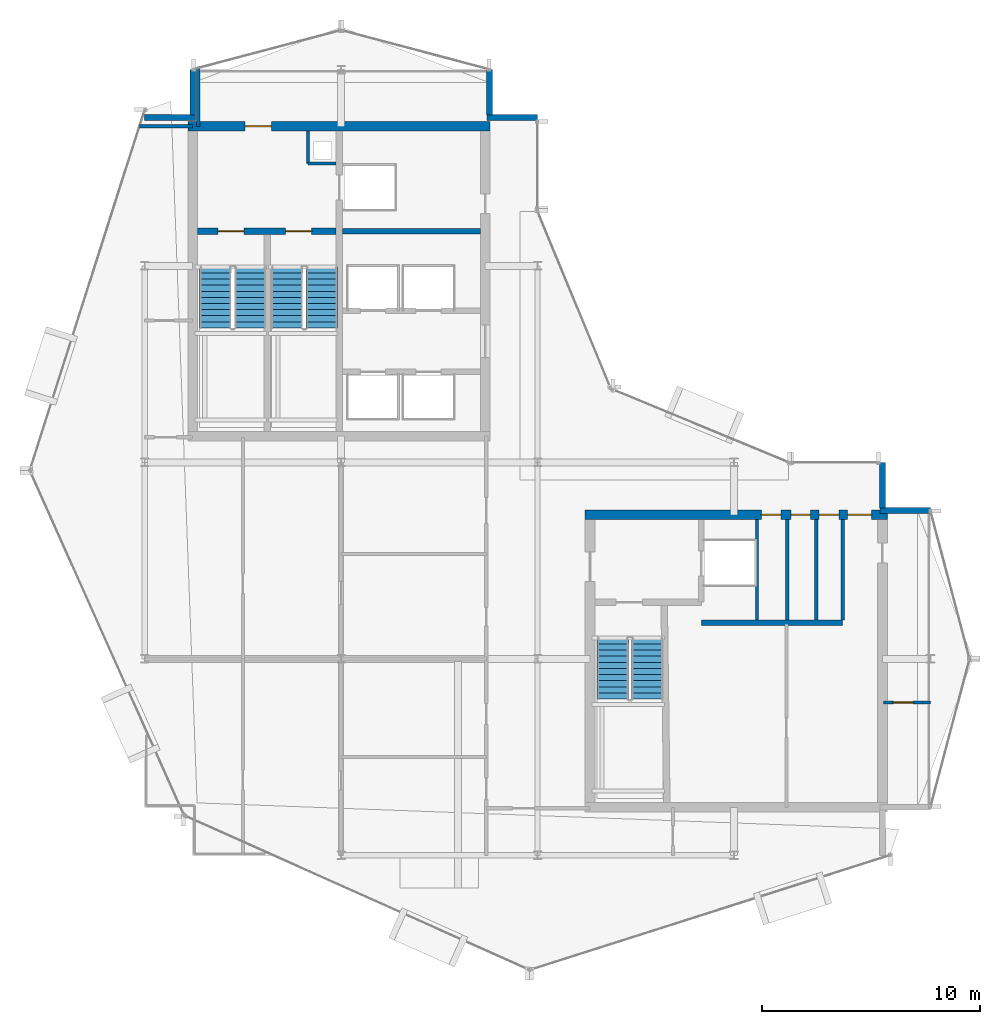
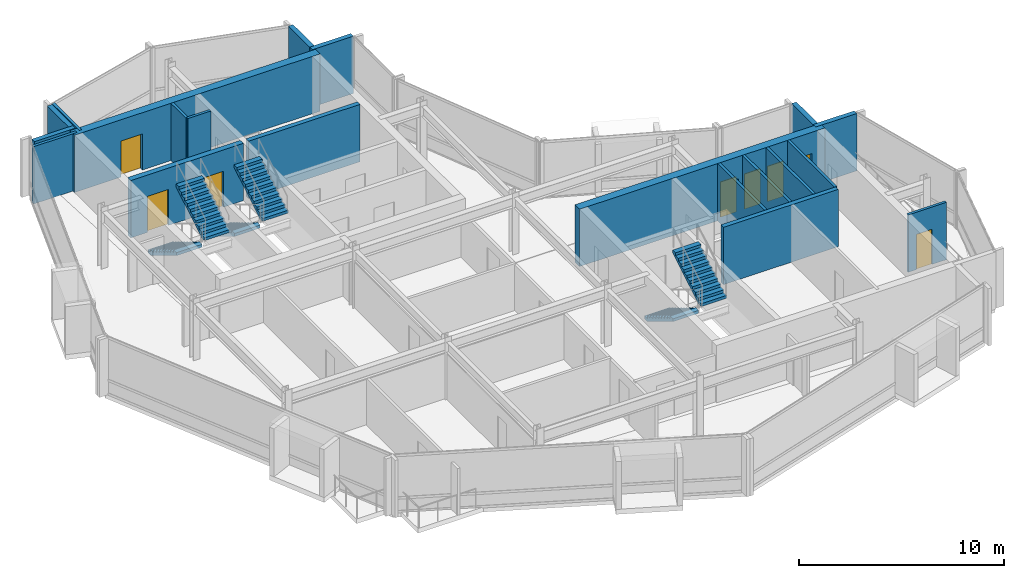
# One storey, part 15 of 19: 20 walls, 8 doors, 6 stair flights, 8 openings, 3 elements without a shape of their own.
"""IFC4 building model written with IfcOpenShell, lengths in metres."""

from ifc_helpers import new_model, si_unit, direction, frame, frame_2d, origin, place, context, subcontext, project, spatial, polyline, rectangle, outline, extrude, material, layer, layer_set, type_object, element, fill, aggregate, save


model = new_model("IFC4")

# Units and contexts
model_context = context("Model", 3, precision=1e-05, world=origin(), true_north=direction((0.0, 1.0)))
body_context = subcontext(model_context, "Body", "Model", "MODEL_VIEW")
ifc_project = project(units=[si_unit("LENGTHUNIT", "METRE"), si_unit("AREAUNIT", "SQUARE_METRE"), si_unit("VOLUMEUNIT", "CUBIC_METRE"), si_unit("PLANEANGLEUNIT", "RADIAN"), si_unit("MASSUNIT", "GRAM", prefix="KILO")], contexts=[model_context])

# Site, building, storey
site_placement = place(None, origin())
site = spatial("IfcSite", under=ifc_project, at=site_placement, CompositionType="ELEMENT")
building_placement = place(site_placement, origin())
building = spatial("IfcBuilding", under=site, at=building_placement, Name="Solvaryn Broadcast Tower", CompositionType="ELEMENT")
storey_placement = place(building_placement, frame((0.0, 0.0, 290.0)))
storey = spatial("IfcBuildingStorey", under=building, at=storey_placement, Name="L73", CompositionType="ELEMENT", Elevation=290.0)

# Wall, opening, door
ifc_material_1 = material(Name="Concrete f'c 70 MPa", Category="concrete")
ifc_layer_1 = layer(ifc_material_1, 0.449951171875)
ifc_layer_set_1 = layer_set([ifc_layer_1], Name="CW-SHEAR-450")
wall_type_1 = type_object("IfcWallType", Name="CW-SHEAR-450", PredefinedType="SHEAR", material=ifc_layer_set_1)
wall_1_placement = place(storey_placement, frame((24.824951171875, 42.39990234375, 0.0), z_axis=(0.0, 0.0, 1.0), x_axis=(-1.0, 0.0, 0.0)))
wall_1 = element("IfcWall", 1, at=wall_1_placement, inside=storey, type_object=wall_type_1, Name="L73 West Core North Shear Wall", PredefinedType="SHEAR", context=body_context, shape_type="SweptSolid", body=[
    extrude(rectangle(XDim=13.849853515625, YDim=0.449951171875, at=frame_2d((6.9248046875, 0.0))), origin(), (0.0, 0.0, 1.0), 3.419921875),
])
opening_1_placement = place(wall_1_placement, frame((10.02490234375, 0.0, 0.0)))
opening_1 = element("IfcOpeningElement", 2, at=opening_1_placement, cuts=wall_1, Name="Opening FD90A", PredefinedType="OPENING", context=body_context, shape_type="SweptSolid", body=[
    extrude(rectangle(XDim=1.199951171875, YDim=2.14990234375, at=frame_2d((0.60009765625, 1.074951171875))), frame((0.0, 0.235107421875, 0.0), z_axis=(0.0, -1.0, 0.0), x_axis=(1.0, 0.0, 0.0)), (0.0, 0.0, 1.0), 0.469970703125),
])
ifc_material_2 = material(Name="Flush Acoustic Steel and Timber Door Assembly", Category="steel")
door_type_1 = type_object("IfcDoorType", Name="FD90-STAIR-1200X2150", OperationType="NOTDEFINED", PredefinedType="DOOR", material=ifc_material_2)
door_1_placement = place(opening_1_placement, origin())
door_1 = element("IfcDoor", 3, at=door_1_placement, inside=storey, type_object=door_type_1, Name="L73 West FSAE Lobby Corridor Door", OperationType="SINGLE_SWING_LEFT", OverallHeight=2.14990234375, OverallWidth=1.199951171875, PredefinedType="DOOR", context=body_context, shape_type="SweptSolid", body=[
    extrude(rectangle(XDim=1.199951171875, YDim=2.14990234375, at=frame_2d((0.60009765625, 1.074951171875))), frame((0.0, 0.02490234375, 0.0), z_axis=(0.0, -1.0, 0.0), x_axis=(1.0, 0.0, 0.0)), (0.0, 0.0, 1.0), 0.050048828125),
])
fill(opening_1, door_1)

# Wall, openings, doors
wall_2_placement = place(storey_placement, frame((43.02490234375, 24.60009765625, 0.0), z_axis=(0.0, 0.0, 1.0), x_axis=(-1.0, 0.0, 0.0)))
wall_2 = element("IfcWall", 4, at=wall_2_placement, inside=storey, type_object=wall_type_1, Name="L73 East Core North Shear Wall", PredefinedType="SHEAR", context=body_context, shape_type="SweptSolid", body=[
    extrude(rectangle(XDim=13.849853515625, YDim=0.449951171875, at=frame_2d((6.9248046875, 0.0))), origin(), (0.0, 0.0, 1.0), 3.419921875),
])
opening_2_placement = place(wall_2_placement, frame((0.72509765625, 0.0, 0.0)))
opening_2 = element("IfcOpeningElement", 5, at=opening_2_placement, cuts=wall_2, Name="Opening FD90C", PredefinedType="OPENING", context=body_context, shape_type="SweptSolid", body=[
    extrude(rectangle(XDim=1.10009765625, YDim=2.14990234375, at=frame_2d((0.550048828125, 1.074951171875))), frame((0.0, 0.235107421875, 0.0), z_axis=(0.0, -1.0, 0.0), x_axis=(1.0, 0.0, 0.0)), (0.0, 0.0, 1.0), 0.469970703125),
])
opening_3_placement = place(wall_2_placement, frame((2.22509765625, 0.0, 0.0)))
opening_3 = element("IfcOpeningElement", 6, at=opening_3_placement, cuts=wall_2, Name="Opening FD60C", PredefinedType="OPENING", context=body_context, shape_type="SweptSolid", body=[
    extrude(rectangle(XDim=0.89990234375, YDim=2.10009765625, at=frame_2d((0.449951171875, 1.050048828125))), frame((0.0, 0.235107421875, 0.0), z_axis=(0.0, -1.0, 0.0), x_axis=(1.0, 0.0, 0.0)), (0.0, 0.0, 1.0), 0.469970703125),
])
opening_4_placement = place(wall_2_placement, frame((3.52490234375, 0.0, 0.0)))
opening_4 = element("IfcOpeningElement", 7, at=opening_4_placement, cuts=wall_2, Name="Opening FD60C", PredefinedType="OPENING", context=body_context, shape_type="SweptSolid", body=[
    extrude(rectangle(XDim=0.89990234375, YDim=2.10009765625, at=frame_2d((0.449951171875, 1.050048828125))), frame((0.0, 0.235107421875, 0.0), z_axis=(0.0, -1.0, 0.0), x_axis=(1.0, 0.0, 0.0)), (0.0, 0.0, 1.0), 0.469970703125),
])
opening_5_placement = place(wall_2_placement, frame((4.875, 0.0, 0.0)))
opening_5 = element("IfcOpeningElement", 8, at=opening_5_placement, cuts=wall_2, Name="Opening FD60C", PredefinedType="OPENING", context=body_context, shape_type="SweptSolid", body=[
    extrude(rectangle(XDim=0.89990234375, YDim=2.10009765625, at=frame_2d((0.449951171875, 1.050048828125))), frame((0.0, 0.235107421875, 0.0), z_axis=(0.0, -1.0, 0.0), x_axis=(1.0, 0.0, 0.0)), (0.0, 0.0, 1.0), 0.469970703125),
])
ifc_material_3 = material(Name="Flush Acoustic Steel and Timber Door Assembly", Category="steel")
door_type_2 = type_object("IfcDoorType", Name="FD60-SERV-900X2100", OperationType="NOTDEFINED", PredefinedType="DOOR", material=ifc_material_3)
door_2_placement = place(opening_3_placement, origin())
door_2 = element("IfcDoor", 9, at=door_2_placement, inside=storey, type_object=door_type_2, Name="L73 Core Wellness Room Door", OperationType="SINGLE_SWING_RIGHT", OverallHeight=2.10009765625, OverallWidth=0.89990234375, PredefinedType="DOOR", context=body_context, shape_type="SweptSolid", body=[
    extrude(rectangle(XDim=0.89990234375, YDim=2.10009765625, at=frame_2d((0.449951171875, 1.050048828125))), frame((0.0, 0.02490234375, 0.0), z_axis=(0.0, -1.0, 0.0), x_axis=(1.0, 0.0, 0.0)), (0.0, 0.0, 1.0), 0.050048828125),
])
fill(opening_3, door_2)
door_3_placement = place(opening_4_placement, origin())
door_3 = element("IfcDoor", 10, at=door_3_placement, inside=storey, type_object=door_type_2, Name="L73 Staff Restroom Door", OperationType="SINGLE_SWING_LEFT", OverallHeight=2.10009765625, OverallWidth=0.89990234375, PredefinedType="DOOR", context=body_context, shape_type="SweptSolid", body=[
    extrude(rectangle(XDim=0.89990234375, YDim=2.10009765625, at=frame_2d((0.449951171875, 1.050048828125))), frame((0.0, 0.02490234375, 0.0), z_axis=(0.0, -1.0, 0.0), x_axis=(1.0, 0.0, 0.0)), (0.0, 0.0, 1.0), 0.050048828125),
])
fill(opening_4, door_3)
door_4_placement = place(opening_5_placement, origin())
door_4 = element("IfcDoor", 11, at=door_4_placement, inside=storey, type_object=door_type_2, Name="L73 Accessible WC Door", OperationType="SINGLE_SWING_RIGHT", OverallHeight=2.10009765625, OverallWidth=0.89990234375, PredefinedType="DOOR", context=body_context, shape_type="SweptSolid", body=[
    extrude(rectangle(XDim=0.89990234375, YDim=2.10009765625, at=frame_2d((0.449951171875, 1.050048828125))), frame((0.0, 0.02490234375, 0.0), z_axis=(0.0, -1.0, 0.0), x_axis=(1.0, 0.0, 0.0)), (0.0, 0.0, 1.0), 0.050048828125),
])
fill(opening_5, door_4)
ifc_material_4 = material(Name="Flush Acoustic Steel and Timber Door Assembly", Category="steel")
door_type_3 = type_object("IfcDoorType", Name="FD90-PLANT-1100X2150", OperationType="NOTDEFINED", PredefinedType="DOOR", material=ifc_material_4)
door_5_placement = place(opening_2_placement, origin())
door_5 = element("IfcDoor", 12, at=door_5_placement, inside=storey, type_object=door_type_3, Name="L73 East Core Lobby Corridor Door", OperationType="SINGLE_SWING_LEFT", OverallHeight=2.14990234375, OverallWidth=1.10009765625, PredefinedType="DOOR", context=body_context, shape_type="SweptSolid", body=[
    extrude(rectangle(XDim=1.10009765625, YDim=2.14990234375, at=frame_2d((0.550048828125, 1.074951171875))), frame((0.0, 0.02490234375, 0.0), z_axis=(0.0, -1.0, 0.0), x_axis=(1.0, 0.0, 0.0)), (0.0, 0.0, 1.0), 0.050048828125),
])
fill(opening_2, door_5)

# Walls
ifc_material_5 = material(Name="Concrete f'c 50 MPa", Category="concrete")
ifc_layer_2 = layer(ifc_material_5, 0.260009765625)
ifc_layer_set_2 = layer_set([ifc_layer_2], Name="EW-PIER-260")
wall_type_2 = type_object("IfcWallType", Name="EW-PIER-260", PredefinedType="SOLIDWALL", material=ifc_layer_set_2)
wall_3_placement = place(storey_placement, frame((9.0, 42.800048828125, 0.0), z_axis=(0.0, 0.0, 1.0), x_axis=(1.0, 0.0, 0.0)))
element("IfcWall", 13, at=wall_3_placement, inside=storey, type_object=wall_type_2, Name="L73 Notched Corner Pier Wall NNW1", PredefinedType="SOLIDWALL", context=body_context, shape_type="SweptSolid", body=[
    extrude(rectangle(XDim=2.320068359375, YDim=0.260009765625, at=frame_2d((1.16015625, 0.0))), origin(), (0.0, 0.0, 1.0), 3.419921875),
])
for number, where, z_axis, x_axis, name in (
    (14, (11.199951171875, 42.919921875, 0.0), (0.0, 0.0, 1.0), (0.0, 1.0, 0.0), "L73 Notched Corner Pier Wall NNW2"),
    (15, (24.800048828125, 45.0, 0.0), (0.0, 0.0, 1.0), (0.0, -1.0, 0.0), "L73 Notched Corner Pier Wall NNE1"),
):
    element("IfcWall", number, at=place(storey_placement, frame(where, z_axis=z_axis, x_axis=x_axis)), inside=storey, type_object=wall_type_2, Name=name, PredefinedType="SOLIDWALL", context=body_context, shape_type="SweptSolid", body=[
        extrude(rectangle(XDim=2.080078125, YDim=0.260009765625, at=frame_2d((1.0400390625, 0.0))), origin(), (0.0, 0.0, 1.0), 3.419921875),
    ])
for number, where, z_axis, x_axis, name in (
    (16, (24.679931640625, 42.800048828125, 0.0), (0.0, 0.0, 1.0), (1.0, 0.0, 0.0), "L73 Notched Corner Pier Wall NNE2"),
    (17, (45.0, 24.800048828125, 0.0), (0.0, 0.0, 1.0), (-1.0, 0.0, 0.0), "L73 Notched Corner Pier Wall NEE1"),
):
    element("IfcWall", number, at=place(storey_placement, frame(where, z_axis=z_axis, x_axis=x_axis)), inside=storey, type_object=wall_type_2, Name=name, PredefinedType="SOLIDWALL", context=body_context, shape_type="SweptSolid", body=[
        extrude(rectangle(XDim=2.320068359375, YDim=0.260009765625, at=frame_2d((1.16015625, 0.0))), origin(), (0.0, 0.0, 1.0), 3.419921875),
    ])
wall_4_placement = place(storey_placement, frame((42.800048828125, 24.919921875, 0.0), z_axis=(0.0, 0.0, 1.0), x_axis=(0.0, 1.0, 0.0)))
element("IfcWall", 18, at=wall_4_placement, inside=storey, type_object=wall_type_2, Name="L73 Notched Corner Pier Wall NEE2", PredefinedType="SOLIDWALL", context=body_context, shape_type="SweptSolid", body=[
    extrude(rectangle(XDim=2.080078125, YDim=0.260009765625, at=frame_2d((1.0400390625, 0.0))), origin(), (0.0, 0.0, 1.0), 3.419921875),
])
ifc_material_6 = material(Name="Metal-Stud Service Core Partition")
ifc_layer_3 = layer(ifc_material_6, 0.14990234375)
ifc_layer_set_3 = layer_set([ifc_layer_3], Name="IW-PART-150")
wall_type_3 = type_object("IfcWallType", Name="IW-PART-150", PredefinedType="PARTITIONING", material=ifc_layer_set_3)
wall_5_placement = place(storey_placement, frame((16.47998046875, 40.699951171875, 0.0), z_axis=(0.0, 0.0, 1.0), x_axis=(1.0, 0.0, 0.0)))
element("IfcWall", 19, at=wall_5_placement, inside=storey, type_object=wall_type_3, Name="L73 West Core Riser Shaft South Wall", PredefinedType="PARTITIONING", context=body_context, shape_type="SweptSolid", body=[
    extrude(rectangle(XDim=1.2900390625, YDim=0.14990234375, at=frame_2d((0.64501953125, 0.0))), origin(), (0.0, 0.0, 1.0), 3.419921875),
])
wall_6_placement = place(storey_placement, frame((16.47998046875, 40.699951171875, 0.0), z_axis=(0.0, 0.0, 1.0), x_axis=(0.0, 1.0, 0.0)))
element("IfcWall", 20, at=wall_6_placement, inside=storey, type_object=wall_type_3, Name="L73 West Core Riser Shaft West Wall", PredefinedType="PARTITIONING", context=body_context, shape_type="SweptSolid", body=[
    extrude(rectangle(XDim=1.47509765625, YDim=0.14990234375, at=frame_2d((0.737548828125, 0.0))), origin(), (0.0, 0.0, 1.0), 3.419921875),
])
for number, where, z_axis, x_axis, name in (
    (21, (37.050048828125, 19.780029296875, 0.0), (0.0, 0.0, 1.0), (0.0, 1.0, 0.0), "L73 Interior Partition IW-L73-CE-FL2E"),
    (22, (38.43994140625, 19.780029296875, 0.0), (0.0, 0.0, 1.0), (0.0, 1.0, 0.0), "L73 Interior Partition IW-L73-CE-V1"),
    (23, (39.77001953125, 19.780029296875, 0.0), (0.0, 0.0, 1.0), (0.0, 1.0, 0.0), "L73 Interior Partition IW-L73-CE-V2"),
    (24, (40.97998046875, 19.780029296875, 0.0), (0.0, 0.0, 1.0), (0.0, 1.0, 0.0), "L73 Interior Partition IW-L73-CE-V3"),
):
    element("IfcWall", number, at=place(storey_placement, frame(where, z_axis=z_axis, x_axis=x_axis)), inside=storey, type_object=wall_type_3, Name=name, PredefinedType="PARTITIONING", context=body_context, shape_type="SweptSolid", body=[
        extrude(rectangle(XDim=4.594970703125, YDim=0.14990234375, at=frame_2d((2.29736328125, 0.0))), origin(), (0.0, 0.0, 1.0), 3.419921875),
    ])

# Wall, opening, door
wall_7_placement = place(storey_placement, frame((42.85009765625, 16.0, 0.0), z_axis=(0.0, 0.0, 1.0), x_axis=(1.0, 0.0, 0.0)))
wall_7 = element("IfcWall", 25, at=wall_7_placement, inside=storey, type_object=wall_type_3, Name="L73 Interior Partition IW-L73-E4M", PredefinedType="PARTITIONING", context=body_context, shape_type="SweptSolid", body=[
    extrude(rectangle(XDim=2.14990234375, YDim=0.14990234375, at=frame_2d((1.074951171875, 0.0))), origin(), (0.0, 0.0, 1.0), 3.419921875),
])
opening_6_placement = place(wall_7_placement, frame((0.449951171875, 0.0, 0.0)))
opening_6 = element("IfcOpeningElement", 26, at=opening_6_placement, cuts=wall_7, Name="Opening FD60C", PredefinedType="OPENING", context=body_context, shape_type="SweptSolid", body=[
    extrude(rectangle(XDim=0.89990234375, YDim=2.10009765625, at=frame_2d((0.449951171875, 1.050048828125))), frame((0.0, 0.0849609375, 0.0), z_axis=(0.0, -1.0, 0.0), x_axis=(1.0, 0.0, 0.0)), (0.0, 0.0, 1.0), 0.169921875),
])
door_6_placement = place(opening_6_placement, origin())
door_6 = element("IfcDoor", 27, at=door_6_placement, inside=storey, type_object=door_type_2, Name="L73 Door DR-L73-E4M", OperationType="SINGLE_SWING_RIGHT", OverallHeight=2.10009765625, OverallWidth=0.89990234375, PredefinedType="DOOR", context=body_context, shape_type="SweptSolid", body=[
    extrude(rectangle(XDim=0.89990234375, YDim=2.10009765625, at=frame_2d((0.449951171875, 1.050048828125))), frame((0.0, 0.02490234375, 0.0), z_axis=(0.0, -1.0, 0.0), x_axis=(1.0, 0.0, 0.0)), (0.0, 0.0, 1.0), 0.050048828125),
])
fill(opening_6, door_6)

# Walls
ifc_material_7 = material(Name="Metal-Stud Gypsum Office Partition")
ifc_layer_4 = layer(ifc_material_7, 0.159912109375)
ifc_layer_set_4 = layer_set([ifc_layer_4], Name="IW-PART-160")
wall_type_4 = type_object("IfcWallType", Name="IW-PART-160", PredefinedType="PARTITIONING", material=ifc_layer_set_4)
wall_8_placement = place(storey_placement, frame((8.760986328125, 42.39990234375, 0.0), z_axis=(0.0, 0.0, 1.0), x_axis=(1.0, 0.0, 0.0)))
element("IfcWall", 28, at=wall_8_placement, inside=storey, type_object=wall_type_4, Name="L73 Interior Partition IW-L73-WM-N", PredefinedType="PARTITIONING", context=body_context, shape_type="SweptSolid", body=[
    extrude(rectangle(XDim=2.43896484375, YDim=0.159912109375, at=frame_2d((1.219482421875, 0.0))), origin(), (0.0, 0.0, 1.0), 3.419921875),
])
wall_9_placement = place(storey_placement, frame((11.449951171875, 42.39990234375, 0.0), z_axis=(0.0, 0.0, 1.0), x_axis=(0.0, 1.0, 0.0)))
element("IfcWall", 29, at=wall_9_placement, inside=storey, type_object=wall_type_4, Name="L73 Interior Partition IW-L73-WM-E", PredefinedType="PARTITIONING", context=body_context, shape_type="SweptSolid", body=[
    extrude(rectangle(XDim=2.666015625, YDim=0.159912109375, at=frame_2d((1.3330078125, 0.0))), origin(), (0.0, 0.0, 1.0), 3.419921875),
])
ifc_material_8 = material(Name="Concrete f'c 60 MPa", Category="concrete")
ifc_layer_5 = layer(ifc_material_8, 0.25)
ifc_layer_set_5 = layer_set([ifc_layer_5], Name="SW-SHAFT-250")
wall_type_5 = type_object("IfcWallType", Name="SW-SHAFT-250", PredefinedType="PARTITIONING", material=ifc_layer_set_5)
wall_10_placement = place(storey_placement, frame((18.070068359375, 37.60009765625, 0.0), z_axis=(0.0, 0.0, 1.0), x_axis=(1.0, 0.0, 0.0)))
element("IfcWall", 30, at=wall_10_placement, inside=storey, type_object=wall_type_5, Name="L73 West Core FSAE Hoistway Front Wall", PredefinedType="PARTITIONING", context=body_context, shape_type="SweptSolid", body=[
    extrude(rectangle(XDim=6.304931640625, YDim=0.25, at=frame_2d((3.15234375, 0.0))), origin(), (0.0, 0.0, 1.0), 3.419921875),
])
wall_11_placement = place(storey_placement, frame((34.5, 19.64990234375, 0.0), z_axis=(0.0, 0.0, 1.0), x_axis=(1.0, 0.0, 0.0)))
element("IfcWall", 31, at=wall_11_placement, inside=storey, type_object=wall_type_5, Name="L73 East Core Restroom South Wall", PredefinedType="PARTITIONING", context=body_context, shape_type="SweptSolid", body=[
    extrude(rectangle(XDim=6.47998046875, YDim=0.25, at=frame_2d((3.239990234375, 0.0))), origin(), (0.0, 0.0, 1.0), 3.419921875),
])

# Wall, openings, doors
ifc_material_9 = material(Name="Concrete f'c 70 MPa", Category="concrete")
ifc_layer_6 = layer(ifc_material_9, 0.300048828125)
ifc_layer_set_6 = layer_set([ifc_layer_6], Name="SW-SHAFT-300")
wall_type_6 = type_object("IfcWallType", Name="SW-SHAFT-300", PredefinedType="SHEAR", material=ifc_layer_set_6)
wall_12_placement = place(storey_placement, frame((17.77001953125, 37.60009765625, 0.0), z_axis=(0.0, 0.0, 1.0), x_axis=(-1.0, 0.0, 0.0)))
wall_12 = element("IfcWall", 32, at=wall_12_placement, inside=storey, type_object=wall_type_6, Name="L73 West Core FSAE Lobby South Wall", PredefinedType="SHEAR", context=body_context, shape_type="SweptSolid", body=[
    extrude(rectangle(XDim=6.344970703125, YDim=0.300048828125, at=frame_2d((3.17236328125, 0.0))), origin(), (0.0, 0.0, 1.0), 3.419921875),
])
opening_7_placement = place(wall_12_placement, frame((4.219970703125, 0.0, 0.0)))
opening_7 = element("IfcOpeningElement", 33, at=opening_7_placement, cuts=wall_12, Name="Opening FD90A", PredefinedType="OPENING", context=body_context, shape_type="SweptSolid", body=[
    extrude(rectangle(XDim=1.199951171875, YDim=2.14990234375, at=frame_2d((0.60009765625, 1.074951171875))), frame((0.0, 0.159912109375, 0.0), z_axis=(0.0, -1.0, 0.0), x_axis=(1.0, 0.0, 0.0)), (0.0, 0.0, 1.0), 0.320068359375),
])
opening_8_placement = place(wall_12_placement, frame((1.1201171875, 0.0, 0.0)))
opening_8 = element("IfcOpeningElement", 34, at=opening_8_placement, cuts=wall_12, Name="Opening FD90A", PredefinedType="OPENING", context=body_context, shape_type="SweptSolid", body=[
    extrude(rectangle(XDim=1.199951171875, YDim=2.14990234375, at=frame_2d((0.60009765625, 1.074951171875))), frame((0.0, 0.159912109375, 0.0), z_axis=(0.0, -1.0, 0.0), x_axis=(1.0, 0.0, 0.0)), (0.0, 0.0, 1.0), 0.320068359375),
])
door_7_placement = place(opening_7_placement, origin())
door_7 = element("IfcDoor", 35, at=door_7_placement, inside=storey, type_object=door_type_1, Name="L73 Stair 1 Fire Door", OperationType="SINGLE_SWING_LEFT", OverallHeight=2.14990234375, OverallWidth=1.199951171875, PredefinedType="DOOR", context=body_context, shape_type="SweptSolid", body=[
    extrude(rectangle(XDim=1.199951171875, YDim=2.14990234375, at=frame_2d((0.60009765625, 1.074951171875))), frame((0.0, 0.02490234375, 0.0), z_axis=(0.0, -1.0, 0.0), x_axis=(1.0, 0.0, 0.0)), (0.0, 0.0, 1.0), 0.050048828125),
])
fill(opening_7, door_7)
door_8_placement = place(opening_8_placement, origin())
door_8 = element("IfcDoor", 36, at=door_8_placement, inside=storey, type_object=door_type_1, Name="L73 Stair 2 Fire Door", OperationType="SINGLE_SWING_RIGHT", OverallHeight=2.14990234375, OverallWidth=1.199951171875, PredefinedType="DOOR", context=body_context, shape_type="SweptSolid", body=[
    extrude(rectangle(XDim=1.199951171875, YDim=2.14990234375, at=frame_2d((0.60009765625, 1.074951171875))), frame((0.0, 0.02490234375, 0.0), z_axis=(0.0, -1.0, 0.0), x_axis=(1.0, 0.0, 0.0)), (0.0, 0.0, 1.0), 0.050048828125),
])
fill(opening_8, door_8)

# Stair, stair flights
ifc_material_10 = material(Name="Concrete f'c 60 MPa", Category="concrete")
stair_type = type_object("IfcStairType", Name="ST-CORE", PredefinedType="HALF_TURN_STAIR", material=ifc_material_10)
stair_1_placement = place(storey_placement, origin())
stair_1 = element("IfcStair", 37, at=stair_1_placement, inside=storey, type_object=stair_type, Name="L73 ST1", PredefinedType="HALF_TURN_STAIR")
ifc_material_11 = material(Name="Concrete f'c 60 MPa", Category="concrete")
ifc_layer_7 = layer(ifc_material_11, 0.159912109375)
ifc_layer_set_7 = layer_set([ifc_layer_7], Name="SF-CORE")
stair_flight_type = type_object("IfcStairFlightType", Name="SF-CORE", PredefinedType="STRAIGHT", material=ifc_layer_set_7)
stair_flight_1_placement = place(storey_placement, frame((12.239990234375, 35.9599609375, 0.0), z_axis=(0.0, 0.0, 1.0), x_axis=(0.0, -1.0, 0.0)))
stair_flight_1 = element("IfcStairFlight", 38, at=stair_flight_1_placement, type_object=stair_flight_type, Name="ST1 flight 1", NumberOfRisers=11, NumberOfTreads=10, PredefinedType="STRAIGHT", RiserHeight=0.168181818, TreadLength=0.28, context=body_context, shape_type="SweptSolid", body=[
    extrude(outline(polyline([(0.0, 0.0), (0.0, 0.168212890625), (0.280029296875, 0.168212890625), (0.280029296875, 0.33642578125), (0.56005859375, 0.33642578125), (0.56005859375, 0.504638671875), (0.840087890625, 0.504638671875), (0.840087890625, 0.672607421875), (1.1201171875, 0.672607421875), (1.1201171875, 0.8408203125), (1.39990234375, 0.8408203125), (1.39990234375, 1.009033203125), (1.679931640625, 1.009033203125), (1.679931640625, 1.17724609375), (1.9599609375, 1.17724609375), (1.9599609375, 1.345458984375), (2.239990234375, 1.345458984375), (2.239990234375, 1.513671875), (2.52001953125, 1.513671875), (2.52001953125, 1.681884765625), (2.800048828125, 1.681884765625), (2.800048828125, 1.85009765625), (2.800048828125, 1.5068359375), (0.291015625, 0.0), (0.0, 0.0)])), frame((0.0, 0.719970703125, 0.0), z_axis=(0.0, -1.0, 0.0), x_axis=(1.0, 0.0, 0.0)), (0.0, 0.0, 1.0), 1.43994140625),
])
stair_flight_2_placement = place(storey_placement, frame((13.830078125, 33.159912109375, 1.85009765625), z_axis=(0.0, 0.0, 1.0), x_axis=(0.0, 1.0, 0.0)))
stair_flight_2 = element("IfcStairFlight", 39, at=stair_flight_2_placement, type_object=stair_flight_type, Name="ST1 flight 2", NumberOfRisers=11, NumberOfTreads=10, PredefinedType="STRAIGHT", RiserHeight=0.168181818, TreadLength=0.28, context=body_context, shape_type="SweptSolid", body=[
    extrude(outline(polyline([(0.0, 0.0), (0.0, 0.168212890625), (0.280029296875, 0.168212890625), (0.280029296875, 0.33642578125), (0.56005859375, 0.33642578125), (0.56005859375, 0.504638671875), (0.840087890625, 0.504638671875), (0.840087890625, 0.672607421875), (1.1201171875, 0.672607421875), (1.1201171875, 0.8408203125), (1.39990234375, 0.8408203125), (1.39990234375, 1.009033203125), (1.679931640625, 1.009033203125), (1.679931640625, 1.17724609375), (1.9599609375, 1.17724609375), (1.9599609375, 1.345458984375), (2.239990234375, 1.345458984375), (2.239990234375, 1.513671875), (2.52001953125, 1.513671875), (2.52001953125, 1.681884765625), (2.800048828125, 1.681884765625), (2.800048828125, 1.85009765625), (2.800048828125, 1.5068359375), (0.291015625, 0.0), (0.0, 0.0)])), frame((0.0, 0.719970703125, 0.0), z_axis=(0.0, -1.0, 0.0), x_axis=(1.0, 0.0, 0.0)), (0.0, 0.0, 1.0), 1.43994140625),
])
aggregate(stair_1, [stair_flight_1, stair_flight_2])

stair_2_placement = place(storey_placement, origin())
stair_2 = element("IfcStair", 40, at=stair_2_placement, inside=storey, type_object=stair_type, Name="L73 ST2", PredefinedType="HALF_TURN_STAIR")
stair_flight_3_placement = place(storey_placement, frame((15.52001953125, 35.9599609375, 0.0), z_axis=(0.0, 0.0, 1.0), x_axis=(0.0, -1.0, 0.0)))
stair_flight_3 = element("IfcStairFlight", 41, at=stair_flight_3_placement, type_object=stair_flight_type, Name="ST2 flight 1", NumberOfRisers=11, NumberOfTreads=10, PredefinedType="STRAIGHT", RiserHeight=0.168181818, TreadLength=0.28, context=body_context, shape_type="SweptSolid", body=[
    extrude(outline(polyline([(0.0, 0.0), (0.0, 0.168212890625), (0.280029296875, 0.168212890625), (0.280029296875, 0.33642578125), (0.56005859375, 0.33642578125), (0.56005859375, 0.504638671875), (0.840087890625, 0.504638671875), (0.840087890625, 0.672607421875), (1.1201171875, 0.672607421875), (1.1201171875, 0.8408203125), (1.39990234375, 0.8408203125), (1.39990234375, 1.009033203125), (1.679931640625, 1.009033203125), (1.679931640625, 1.17724609375), (1.9599609375, 1.17724609375), (1.9599609375, 1.345458984375), (2.239990234375, 1.345458984375), (2.239990234375, 1.513671875), (2.52001953125, 1.513671875), (2.52001953125, 1.681884765625), (2.800048828125, 1.681884765625), (2.800048828125, 1.85009765625), (2.800048828125, 1.5068359375), (0.291015625, 0.0), (0.0, 0.0)])), frame((0.0, 0.719970703125, 0.0), z_axis=(0.0, -1.0, 0.0), x_axis=(1.0, 0.0, 0.0)), (0.0, 0.0, 1.0), 1.43994140625),
])
stair_flight_4_placement = place(storey_placement, frame((17.110107421875, 33.159912109375, 1.85009765625), z_axis=(0.0, 0.0, 1.0), x_axis=(0.0, 1.0, 0.0)))
stair_flight_4 = element("IfcStairFlight", 42, at=stair_flight_4_placement, type_object=stair_flight_type, Name="ST2 flight 2", NumberOfRisers=11, NumberOfTreads=10, PredefinedType="STRAIGHT", RiserHeight=0.168181818, TreadLength=0.28, context=body_context, shape_type="SweptSolid", body=[
    extrude(outline(polyline([(0.0, 0.0), (0.0, 0.168212890625), (0.280029296875, 0.168212890625), (0.280029296875, 0.33642578125), (0.56005859375, 0.33642578125), (0.56005859375, 0.504638671875), (0.840087890625, 0.504638671875), (0.840087890625, 0.672607421875), (1.1201171875, 0.672607421875), (1.1201171875, 0.8408203125), (1.39990234375, 0.8408203125), (1.39990234375, 1.009033203125), (1.679931640625, 1.009033203125), (1.679931640625, 1.17724609375), (1.9599609375, 1.17724609375), (1.9599609375, 1.345458984375), (2.239990234375, 1.345458984375), (2.239990234375, 1.513671875), (2.52001953125, 1.513671875), (2.52001953125, 1.681884765625), (2.800048828125, 1.681884765625), (2.800048828125, 1.85009765625), (2.800048828125, 1.5068359375), (0.291015625, 0.0), (0.0, 0.0)])), frame((0.0, 0.719970703125, 0.0), z_axis=(0.0, -1.0, 0.0), x_axis=(1.0, 0.0, 0.0)), (0.0, 0.0, 1.0), 1.43994140625),
])
aggregate(stair_2, [stair_flight_3, stair_flight_4])

stair_3_placement = place(storey_placement, origin())
stair_3 = element("IfcStair", 43, at=stair_3_placement, inside=storey, type_object=stair_type, Name="L73 ST3", PredefinedType="HALF_TURN_STAIR")
stair_flight_5_placement = place(storey_placement, frame((30.43994140625, 18.9599609375, 0.0), z_axis=(0.0, 0.0, 1.0), x_axis=(0.0, -1.0, 0.0)))
stair_flight_5 = element("IfcStairFlight", 44, at=stair_flight_5_placement, type_object=stair_flight_type, Name="ST3 flight 1", NumberOfRisers=11, NumberOfTreads=10, PredefinedType="STRAIGHT", RiserHeight=0.168181818, TreadLength=0.28, context=body_context, shape_type="SweptSolid", body=[
    extrude(outline(polyline([(0.0, 0.0), (0.0, 0.168212890625), (0.280029296875, 0.168212890625), (0.280029296875, 0.33642578125), (0.56005859375, 0.33642578125), (0.56005859375, 0.504638671875), (0.840087890625, 0.504638671875), (0.840087890625, 0.672607421875), (1.1201171875, 0.672607421875), (1.1201171875, 0.8408203125), (1.39990234375, 0.8408203125), (1.39990234375, 1.009033203125), (1.679931640625, 1.009033203125), (1.679931640625, 1.17724609375), (1.9599609375, 1.17724609375), (1.9599609375, 1.345458984375), (2.239990234375, 1.345458984375), (2.239990234375, 1.513671875), (2.52001953125, 1.513671875), (2.52001953125, 1.681884765625), (2.800048828125, 1.681884765625), (2.800048828125, 1.85009765625), (2.800048828125, 1.5068359375), (0.291015625, 0.0), (0.0, 0.0)])), frame((0.0, 0.719970703125, 0.0), z_axis=(0.0, -1.0, 0.0), x_axis=(1.0, 0.0, 0.0)), (0.0, 0.0, 1.0), 1.43994140625),
])
stair_flight_6_placement = place(storey_placement, frame((32.030029296875, 16.159912109375, 1.85009765625), z_axis=(0.0, 0.0, 1.0), x_axis=(0.0, 1.0, 0.0)))
stair_flight_6 = element("IfcStairFlight", 45, at=stair_flight_6_placement, type_object=stair_flight_type, Name="ST3 flight 2", NumberOfRisers=11, NumberOfTreads=10, PredefinedType="STRAIGHT", RiserHeight=0.168181818, TreadLength=0.28, context=body_context, shape_type="SweptSolid", body=[
    extrude(outline(polyline([(0.0, 0.0), (0.0, 0.168212890625), (0.280029296875, 0.168212890625), (0.280029296875, 0.33642578125), (0.56005859375, 0.33642578125), (0.56005859375, 0.504638671875), (0.840087890625, 0.504638671875), (0.840087890625, 0.672607421875), (1.1201171875, 0.672607421875), (1.1201171875, 0.8408203125), (1.39990234375, 0.8408203125), (1.39990234375, 1.009033203125), (1.679931640625, 1.009033203125), (1.679931640625, 1.17724609375), (1.9599609375, 1.17724609375), (1.9599609375, 1.345458984375), (2.239990234375, 1.345458984375), (2.239990234375, 1.513671875), (2.52001953125, 1.513671875), (2.52001953125, 1.681884765625), (2.800048828125, 1.681884765625), (2.800048828125, 1.85009765625), (2.800048828125, 1.5068359375), (0.291015625, 0.0), (0.0, 0.0)])), frame((0.0, 0.719970703125, 0.0), z_axis=(0.0, -1.0, 0.0), x_axis=(1.0, 0.0, 0.0)), (0.0, 0.0, 1.0), 1.43994140625),
])
aggregate(stair_3, [stair_flight_5, stair_flight_6])

save(model, "model.ifc")
